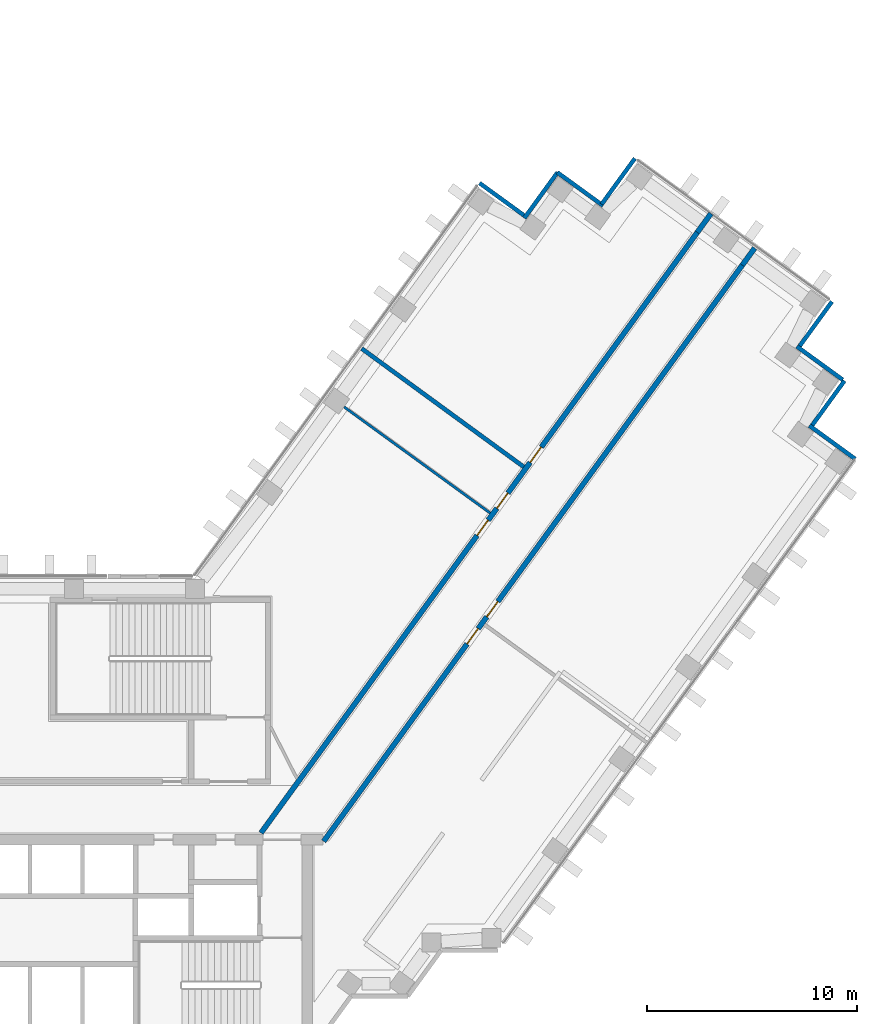
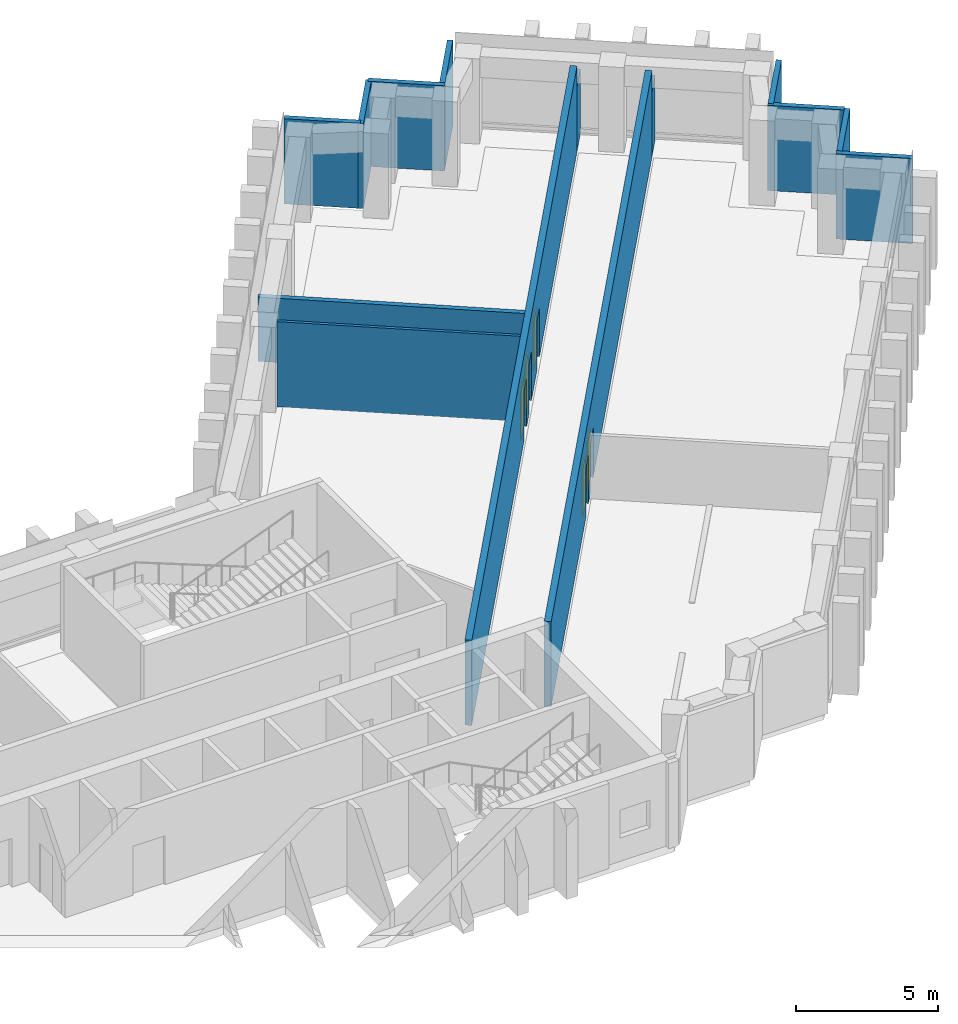
# One storey, part 9 of 12: 14 walls, 5 doors, 5 openings.
"""IFC4 building model written with IfcOpenShell, lengths in metres."""

from ifc_helpers import new_model, si_unit, direction, frame, frame_2d, origin, place, context, subcontext, project, spatial, rectangle, extrude, material, layer, layer_set, type_object, element, fill, save


model = new_model("IFC4")

# Units and contexts
model_context = context("Model", 3, precision=1e-05, world=origin(), true_north=direction((0.0, 1.0)))
body_context = subcontext(model_context, "Body", "Model", "MODEL_VIEW")
ifc_project = project(units=[si_unit("LENGTHUNIT", "METRE"), si_unit("AREAUNIT", "SQUARE_METRE"), si_unit("VOLUMEUNIT", "CUBIC_METRE"), si_unit("PLANEANGLEUNIT", "RADIAN"), si_unit("MASSUNIT", "GRAM", prefix="KILO")], contexts=[model_context])

# Site, building, storey
site_placement = place(None, origin())
site = spatial("IfcSite", under=ifc_project, at=site_placement, CompositionType="ELEMENT")
building_placement = place(site_placement, origin())
building = spatial("IfcBuilding", under=site, at=building_placement, Name="Quipu Civic Tower", CompositionType="ELEMENT")
storey_placement = place(building_placement, frame((0.0, 0.0, 109.0)))
storey = spatial("IfcBuildingStorey", under=building, at=storey_placement, Name="L25", CompositionType="ELEMENT", Elevation=109.0)

# Wall
ifc_material_1 = material(Name="Fired clay blockwork", Category="masonry")
ifc_layer_1 = layer(ifc_material_1, 0.199951171875)
ifc_layer_set_1 = layer_set([ifc_layer_1], Name="Fired clay blockwork")
wall_type_1 = type_object("IfcWallType", Name="Blockwork wall 200", PredefinedType="SOLIDWALL", material=ifc_layer_set_1)
wall_1_placement = place(storey_placement, frame((22.343505859375, 21.939697265625, 0.0), z_axis=(0.0, 0.0, 1.0), x_axis=(0.807610282865, -0.589716568371, 0.0)))
element("IfcWall", 1, at=wall_1_placement, inside=storey, type_object=wall_type_1, Name="Partition P07", PredefinedType="SOLIDWALL", context=body_context, shape_type="SweptSolid", body=[
    extrude(rectangle(XDim=9.549560546875, YDim=0.199951171875, at=frame_2d((4.77490234375, 0.0))), origin(), (0.0, 0.0, 1.0), 2.75),
])

# Wall, openings, doors
ifc_material_2 = material(Name="Concrete C50/60", Category="concrete")
ifc_layer_2 = layer(ifc_material_2, 0.25)
ifc_layer_set_2 = layer_set([ifc_layer_2], Name="Concrete C50/60")
wall_type_2 = type_object("IfcWallType", Name="Corridor wall 250 concrete", PredefinedType="SOLIDWALL", material=ifc_layer_set_2)
wall_2_placement = place(storey_placement, frame((40.46337890625, 25.911376953125, 0.0), z_axis=(0.0, 0.0, 1.0), x_axis=(-0.587781654618, -0.809019608226, 0.0)))
wall_2 = element("IfcWall", 2, at=wall_2_placement, inside=storey, type_object=wall_type_2, Name="Corridor wall C01", PredefinedType="SOLIDWALL", context=body_context, shape_type="SweptSolid", body=[
    extrude(rectangle(XDim=33.9111328125, YDim=0.25, at=frame_2d((16.95556640625, 0.0))), origin(), (0.0, 0.0, 1.0), 3.64990234375),
])
opening_1_placement = place(wall_2_placement, frame((21.39599609375, 0.0, 0.0)))
opening_1 = element("IfcOpeningElement", 3, at=opening_1_placement, cuts=wall_2, Name="Opening D004", PredefinedType="OPENING", context=body_context, shape_type="SweptSolid", body=[
    extrude(rectangle(XDim=0.89990234375, YDim=2.10009765625, at=frame_2d((0.449951171875, 1.050048828125))), frame((0.0, 0.135009765625, 0.0), z_axis=(0.0, -1.0, 0.0), x_axis=(1.0, 0.0, 0.0)), (0.0, 0.0, 1.0), 0.27001953125),
])
opening_2_placement = place(wall_2_placement, frame((19.795166015625, 0.0, 0.0)))
opening_2 = element("IfcOpeningElement", 4, at=opening_2_placement, cuts=wall_2, Name="Opening D005", PredefinedType="OPENING", context=body_context, shape_type="SweptSolid", body=[
    extrude(rectangle(XDim=0.89990234375, YDim=2.10009765625, at=frame_2d((0.449951171875, 1.050048828125))), frame((0.0, 0.135009765625, 0.0), z_axis=(0.0, -1.0, 0.0), x_axis=(1.0, 0.0, 0.0)), (0.0, 0.0, 1.0), 0.27001953125),
])
ifc_material_3 = material(Name="Fire rated timber door set with metal frame", Category="wood")
door_type = type_object("IfcDoorType", Name="Single door 900 x 2100 FD60", OperationType="NOTDEFINED", PredefinedType="DOOR", material=ifc_material_3)
door_1_placement = place(opening_1_placement, origin())
door_1 = element("IfcDoor", 5, at=door_1_placement, inside=storey, type_object=door_type, Name="Door D004", OperationType="SINGLE_SWING_LEFT", OverallHeight=2.10009765625, OverallWidth=0.89990234375, PredefinedType="DOOR", context=body_context, shape_type="SweptSolid", body=[
    extrude(rectangle(XDim=0.89990234375, YDim=2.10009765625, at=frame_2d((0.449951171875, 1.050048828125))), frame((0.0, 0.02490234375, 0.0), z_axis=(0.0, -1.0, 0.0), x_axis=(1.0, 0.0, 0.0)), (0.0, 0.0, 1.0), 0.050048828125),
])
fill(opening_1, door_1)
door_2_placement = place(opening_2_placement, origin())
door_2 = element("IfcDoor", 6, at=door_2_placement, inside=storey, type_object=door_type, Name="Door D005", OperationType="SINGLE_SWING_RIGHT", OverallHeight=2.10009765625, OverallWidth=0.89990234375, PredefinedType="DOOR", context=body_context, shape_type="SweptSolid", body=[
    extrude(rectangle(XDim=0.89990234375, YDim=2.10009765625, at=frame_2d((0.449951171875, 1.050048828125))), frame((0.0, 0.02490234375, 0.0), z_axis=(0.0, -1.0, 0.0), x_axis=(1.0, 0.0, 0.0)), (0.0, 0.0, 1.0), 0.050048828125),
])
fill(opening_2, door_2)

wall_3_placement = place(storey_placement, frame((17.544921875, -1.124755859375, 0.0), z_axis=(0.0, 0.0, 1.0), x_axis=(0.587788021768, 0.809014982226, 0.0)))
wall_3 = element("IfcWall", 7, at=wall_3_placement, inside=storey, type_object=wall_type_2, Name="Corridor wall C06", PredefinedType="SOLIDWALL", context=body_context, shape_type="SweptSolid", body=[
    extrude(rectangle(XDim=35.34423828125, YDim=0.25, at=frame_2d((17.672119140625, 0.0))), origin(), (0.0, 0.0, 1.0), 3.64990234375),
])
opening_3_placement = place(wall_3_placement, frame((17.5078125, 0.0, 0.0)))
opening_3 = element("IfcOpeningElement", 8, at=opening_3_placement, cuts=wall_3, Name="Opening D001", PredefinedType="OPENING", context=body_context, shape_type="SweptSolid", body=[
    extrude(rectangle(XDim=0.89990234375, YDim=2.10009765625, at=frame_2d((0.449951171875, 1.050048828125))), frame((0.0, 0.135009765625, 0.0), z_axis=(0.0, -1.0, 0.0), x_axis=(1.0, 0.0, 0.0)), (0.0, 0.0, 1.0), 0.27001953125),
])
opening_4_placement = place(wall_3_placement, frame((21.80810546875, 0.0, 0.0)))
opening_4 = element("IfcOpeningElement", 9, at=opening_4_placement, cuts=wall_3, Name="Opening D003", PredefinedType="OPENING", context=body_context, shape_type="SweptSolid", body=[
    extrude(rectangle(XDim=0.89990234375, YDim=2.10009765625, at=frame_2d((0.449951171875, 1.050048828125))), frame((0.0, 0.135009765625, 0.0), z_axis=(0.0, -1.0, 0.0), x_axis=(1.0, 0.0, 0.0)), (0.0, 0.0, 1.0), 0.27001953125),
])
opening_5_placement = place(wall_3_placement, frame((19.107666015625, 0.0, 0.0)))
opening_5 = element("IfcOpeningElement", 10, at=opening_5_placement, cuts=wall_3, Name="Opening D002", PredefinedType="OPENING", context=body_context, shape_type="SweptSolid", body=[
    extrude(rectangle(XDim=0.89990234375, YDim=2.10009765625, at=frame_2d((0.449951171875, 1.050048828125))), frame((0.0, 0.135009765625, 0.0), z_axis=(0.0, -1.0, 0.0), x_axis=(1.0, 0.0, 0.0)), (0.0, 0.0, 1.0), 0.27001953125),
])
door_3_placement = place(opening_3_placement, origin())
door_3 = element("IfcDoor", 11, at=door_3_placement, inside=storey, type_object=door_type, Name="Door D001", OperationType="SINGLE_SWING_RIGHT", OverallHeight=2.10009765625, OverallWidth=0.89990234375, PredefinedType="DOOR", context=body_context, shape_type="SweptSolid", body=[
    extrude(rectangle(XDim=0.89990234375, YDim=2.10009765625, at=frame_2d((0.449951171875, 1.050048828125))), frame((0.0, 0.02490234375, 0.0), z_axis=(0.0, -1.0, 0.0), x_axis=(1.0, 0.0, 0.0)), (0.0, 0.0, 1.0), 0.050048828125),
])
fill(opening_3, door_3)
door_4_placement = place(opening_4_placement, origin())
door_4 = element("IfcDoor", 12, at=door_4_placement, inside=storey, type_object=door_type, Name="Door D003", OperationType="SINGLE_SWING_LEFT", OverallHeight=2.10009765625, OverallWidth=0.89990234375, PredefinedType="DOOR", context=body_context, shape_type="SweptSolid", body=[
    extrude(rectangle(XDim=0.89990234375, YDim=2.10009765625, at=frame_2d((0.449951171875, 1.050048828125))), frame((0.0, 0.02490234375, 0.0), z_axis=(0.0, -1.0, 0.0), x_axis=(1.0, 0.0, 0.0)), (0.0, 0.0, 1.0), 0.050048828125),
])
fill(opening_4, door_4)
door_5_placement = place(opening_5_placement, origin())
door_5 = element("IfcDoor", 13, at=door_5_placement, inside=storey, type_object=door_type, Name="Door D002", OperationType="SINGLE_SWING_LEFT", OverallHeight=2.10009765625, OverallWidth=0.89990234375, PredefinedType="DOOR", context=body_context, shape_type="SweptSolid", body=[
    extrude(rectangle(XDim=0.89990234375, YDim=2.10009765625, at=frame_2d((0.449951171875, 1.050048828125))), frame((0.0, 0.02490234375, 0.0), z_axis=(0.0, -1.0, 0.0), x_axis=(1.0, 0.0, 0.0)), (0.0, 0.0, 1.0), 0.050048828125),
])
fill(opening_5, door_5)

# Walls
wall_4_placement = place(storey_placement, frame((40.46337890625, 25.911376953125, 0.0), z_axis=(0.0, 0.0, 1.0), x_axis=(0.587855200732, 0.808966169238, 0.0)))
element("IfcWall", 14, at=wall_4_placement, inside=storey, type_object=wall_type_2, Name="Corridor wall C01", PredefinedType="SOLIDWALL", context=body_context, shape_type="SweptSolid", body=[
    extrude(rectangle(XDim=1.00927734375, YDim=0.25, at=frame_2d((0.504638671875, 0.0))), origin(), (0.0, 0.0, 1.0), 2.75),
])
wall_5_placement = place(storey_placement, frame((38.31982421875, 27.46923828125, 0.0), z_axis=(0.0, 0.0, 1.0), x_axis=(0.587753086208, 0.809040363426, 0.0)))
element("IfcWall", 15, at=wall_5_placement, inside=storey, type_object=wall_type_2, Name="Corridor wall C06", PredefinedType="SOLIDWALL", context=body_context, shape_type="SweptSolid", body=[
    extrude(rectangle(XDim=1.10986328125, YDim=0.25, at=frame_2d((0.554931640625, 0.0))), origin(), (0.0, 0.0, 1.0), 2.75),
])
ifc_material_4 = material(Name="Gypsum plasterboard on light gauge framing")
ifc_layer_3 = layer(ifc_material_4, 0.1201171875)
ifc_layer_set_3 = layer_set([ifc_layer_3], Name="Gypsum plasterboard on light gauge framing")
wall_type_3 = type_object("IfcWallType", Name="Partition 120 plasterboard", PredefinedType="PARTITIONING", material=ifc_layer_set_3)
wall_6_placement = place(storey_placement, frame((28.457275390625, 14.10791015625, 0.0), z_axis=(0.0, 0.0, 1.0), x_axis=(-0.808998863664, 0.587810206266, 0.0)))
element("IfcWall", 16, at=wall_6_placement, inside=storey, type_object=wall_type_3, Name="Partition P01", PredefinedType="PARTITIONING", context=body_context, shape_type="SweptSolid", body=[
    extrude(rectangle(XDim=8.594970703125, YDim=0.1201171875, at=frame_2d((4.29736328125, 0.0))), origin(), (0.0, 0.0, 1.0), 3.64990234375),
])
ifc_material_5 = material(Name="Precast concrete C40/50", Category="concrete")
wall_type_4 = type_object("IfcWallType", Name="Precast cladding wall", PredefinedType="SOLIDWALL", material=ifc_material_5)
for number, where, z_axis, x_axis, name in (
    (17, (45.84228515625, 16.6845703125, 0.0), (0.0, 0.0, 1.0), (-0.808958916286, 0.58786518162, 0.0), "Precast cladding wall L25 P01"),
    (18, (43.74609375, 18.22265625, 0.0), (0.0, 0.0, 1.0), (0.587762999008, 0.809033161865, 0.0), "Precast cladding wall L25 P02"),
    (19, (45.2451171875, 20.4560546875, 0.0), (0.0, 0.0, 1.0), (-0.809033161865, 0.587762999008, 0.0), "Precast cladding wall L25 P03"),
    (20, (43.148681640625, 21.993896484375, 0.0), (0.0, 0.0, 1.0), (0.587822180636, 0.808990163075, 0.0), "Precast cladding wall L25 24"),
    (21, (35.351318359375, 30.99658203125, 0.0), (0.0, 0.0, 1.0), (-0.587822180636, -0.808990163075, 0.0), "Precast cladding wall L25 26"),
    (22, (33.837890625, 28.743896484375, 0.0), (0.0, 0.0, 1.0), (-0.809033161865, 0.587762999008, 0.0), "Precast cladding wall L25 27"),
    (23, (31.67041015625, 30.33349609375, 0.0), (0.0, 0.0, 1.0), (-0.587762999008, -0.809033161865, 0.0), "Precast cladding wall L25 28"),
    (24, (30.132568359375, 28.237060546875, 0.0), (0.0, 0.0, 1.0), (-0.808990163075, 0.587822180636, 0.0), "Precast cladding wall L25 29"),
):
    element("IfcWall", number, at=place(storey_placement, frame(where, z_axis=z_axis, x_axis=x_axis)), inside=storey, type_object=wall_type_4, Name=name, PredefinedType="SOLIDWALL", context=body_context, shape_type="SweptSolid", body=[
        extrude(rectangle(XDim=2.699951171875, YDim=0.199951171875, at=frame_2d((1.35009765625, 0.0))), origin(), (0.0, 0.0, 1.0), 3.64990234375),
    ])

save(model, "model.ifc")
